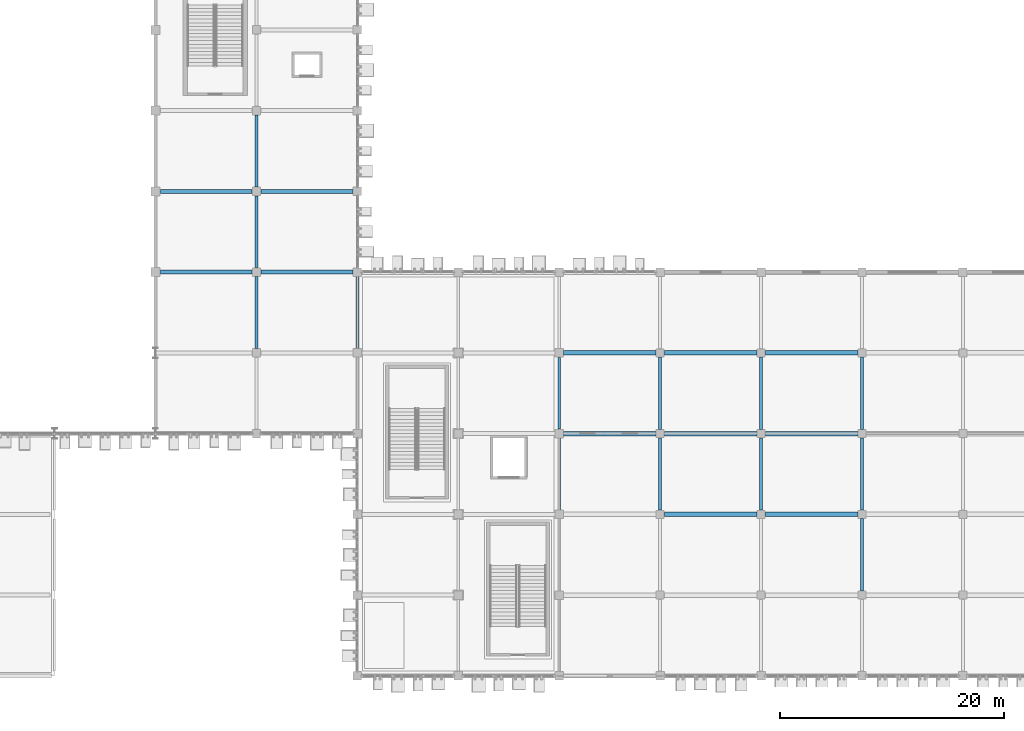
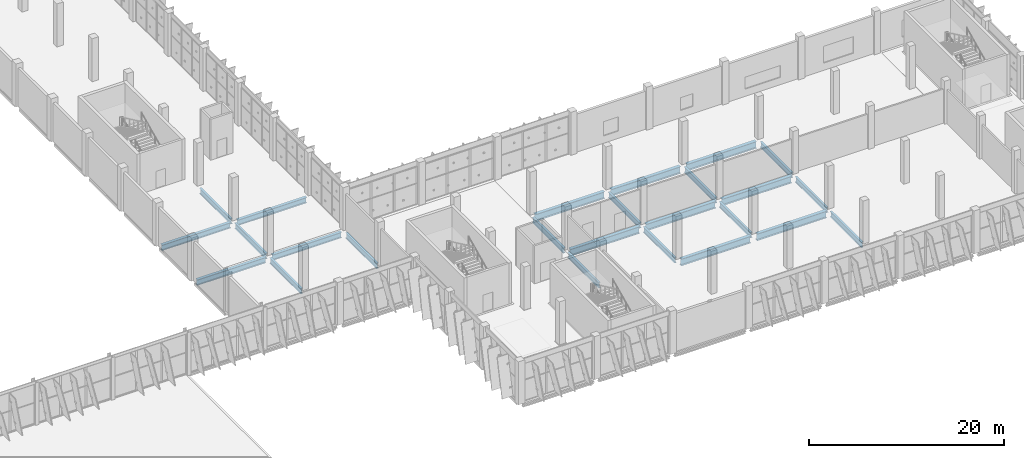
# One storey, part 52 of 189: 25 beams.
"""IFC4 building model written with IfcOpenShell, lengths in metres."""

from ifc_helpers import new_model, si_unit, direction, frame, origin, origin_2d, place, context, subcontext, project, spatial, i_section, extrude, material, material_profile, profile_set, type_object, element, save


model = new_model("IFC4")

# Units and contexts
model_context = context("Model", 3, precision=1e-05, world=origin(), true_north=direction((0.0, 1.0)))
body_context = subcontext(model_context, "Body", "Model", "MODEL_VIEW")
ifc_project = project(units=[si_unit("LENGTHUNIT", "METRE"), si_unit("AREAUNIT", "SQUARE_METRE"), si_unit("VOLUMEUNIT", "CUBIC_METRE"), si_unit("PLANEANGLEUNIT", "RADIAN"), si_unit("MASSUNIT", "GRAM", prefix="KILO")], contexts=[model_context])

# Site, building, storey
site_placement = place(None, origin())
site = spatial("IfcSite", under=ifc_project, at=site_placement, CompositionType="ELEMENT")
building_placement = place(site_placement, origin())
building = spatial("IfcBuilding", under=site, at=building_placement, Name="Celestram Park Convention Centre", CompositionType="ELEMENT")
storey_placement = place(building_placement, frame((0.0, 0.0, 5.39990234375)))
storey = spatial("IfcBuildingStorey", under=building, at=storey_placement, Name="L01", CompositionType="ELEMENT", Elevation=5.39990234375)

# Beams
ifc_material = material(Name="Steel ASTM A992 Grade 50", Category="steel")
ifc_material_profile_1 = material_profile(ifc_material, i_section(OverallWidth=0.35595703125, OverallDepth=0.696044921875, WebThickness=0.015380859375, FlangeThickness=0.02490234375, at=origin_2d()), Name="W27X146")
ifc_profile_set_1 = profile_set([ifc_material_profile_1], Name="Steel ASTM A992 Grade 50")
beam_type_1 = type_object("IfcBeamType", Name="STR-BM-W27X146", PredefinedType="BEAM", material=ifc_profile_set_1)
for number, where, z_axis, x_axis, name in (
    (1, (126.447998046875, 36.0, -0.6279296875), (1.0, 0.0, 0.0), (0.0, 1.0, 0.0), "Primary X-girder BG-L01-0252"),
    (2, (126.447998046875, 43.199951171875, -0.6279296875), (1.0, 0.0, 0.0), (0.0, 1.0, 0.0), "Primary X-girder BG-L01-0254"),
):
    element("IfcBeam", number, at=place(storey_placement, frame(where, z_axis=z_axis, x_axis=x_axis)), inside=storey, type_object=beam_type_1, Name=name, PredefinedType="BEAM", context=body_context, shape_type="SweptSolid", body=[
        extrude(i_section(OverallWidth=0.35595703125, OverallDepth=0.696044921875, WebThickness=0.015380859375, FlangeThickness=0.02490234375, at=origin_2d()), origin(), (0.0, 0.0, 1.0), 8.154052734375),
    ])
for number, where, z_axis, x_axis, name in (
    (3, (135.39794921875, 36.0, -0.6279296875), (1.0, 0.0, 0.0), (0.0, 1.0, 0.0), "Primary X-girder BG-L01-0290"),
    (4, (135.39794921875, 43.199951171875, -0.6279296875), (1.0, 0.0, 0.0), (0.0, 1.0, 0.0), "Primary X-girder BG-L01-0292"),
):
    element("IfcBeam", number, at=place(storey_placement, frame(where, z_axis=z_axis, x_axis=x_axis)), inside=storey, type_object=beam_type_1, Name=name, PredefinedType="BEAM", context=body_context, shape_type="SweptSolid", body=[
        extrude(i_section(OverallWidth=0.35595703125, OverallDepth=0.696044921875, WebThickness=0.015380859375, FlangeThickness=0.02490234375, at=origin_2d()), origin(), (0.0, 0.0, 1.0), 8.2041015625),
    ])
ifc_material_profile_2 = material_profile(ifc_material, i_section(OverallWidth=0.25390625, OverallDepth=0.68310546875, WebThickness=0.012451171875, FlangeThickness=0.01904296875, at=origin_2d()), Name="W27X94")
ifc_profile_set_2 = profile_set([ifc_material_profile_2], Name="Steel ASTM A992 Grade 50")
beam_type_2 = type_object("IfcBeamType", Name="STR-BM-W27X94", PredefinedType="BEAM", material=ifc_profile_set_2)
for number, where, z_axis, x_axis, name in (
    (5, (135.0, 29.197998046875, -0.621337890625), (0.0, 1.0, 0.0), (-1.0, 0.0, 0.0), "Primary Y-girder BG-L01-0289"),
    (6, (135.0, 36.39794921875, -0.621337890625), (0.0, 1.0, 0.0), (-1.0, 0.0, 0.0), "Primary Y-girder BG-L01-0291"),
    (7, (135.0, 43.597900390625, -0.621337890625), (0.0, 1.0, 0.0), (-1.0, 0.0, 0.0), "Primary Y-girder BG-L01-0293"),
    (8, (144.0, 29.197998046875, -0.621337890625), (0.0, 1.0, 0.0), (-1.0, 0.0, 0.0), "Primary Y-girder BG-L01-0333"),
):
    element("IfcBeam", number, at=place(storey_placement, frame(where, z_axis=z_axis, x_axis=x_axis)), inside=storey, type_object=beam_type_2, Name=name, PredefinedType="BEAM", context=body_context, shape_type="SweptSolid", body=[
        extrude(i_section(OverallWidth=0.25390625, OverallDepth=0.68310546875, WebThickness=0.012451171875, FlangeThickness=0.01904296875, at=origin_2d()), origin(), (0.0, 0.0, 1.0), 6.404052734375),
    ])
beam_1_placement = place(storey_placement, frame((162.0, 14.798095703125, -0.621337890625), z_axis=(0.0, 1.0, 0.0), x_axis=(-1.0, 0.0, 0.0)))
element("IfcBeam", 9, at=beam_1_placement, inside=storey, type_object=beam_type_2, Name="Primary Y-girder BG-L01-0387", PredefinedType="BEAM", context=body_context, shape_type="SweptSolid", body=[
    extrude(i_section(OverallWidth=0.25390625, OverallDepth=0.68310546875, WebThickness=0.012451171875, FlangeThickness=0.01904296875, at=origin_2d()), origin(), (0.0, 0.0, 1.0), 6.40380859375),
])
beam_2_placement = place(storey_placement, frame((162.0, 21.998046875, -0.621337890625), z_axis=(0.0, 1.0, 0.0), x_axis=(-1.0, 0.0, 0.0)))
element("IfcBeam", 10, at=beam_2_placement, inside=storey, type_object=beam_type_2, Name="Primary Y-girder BG-L01-0389", PredefinedType="BEAM", context=body_context, shape_type="SweptSolid", body=[
    extrude(i_section(OverallWidth=0.25390625, OverallDepth=0.68310546875, WebThickness=0.012451171875, FlangeThickness=0.01904296875, at=origin_2d()), origin(), (0.0, 0.0, 1.0), 6.404052734375),
])
for number, where, z_axis, x_axis, name in (
    (11, (171.0, 14.77294921875, -0.621337890625), (0.0, 1.0, 0.0), (-1.0, 0.0, 0.0), "Primary Y-girder BG-L01-0413"),
    (12, (171.0, 21.972900390625, -0.621337890625), (0.0, 1.0, 0.0), (-1.0, 0.0, 0.0), "Primary Y-girder BG-L01-0415"),
    (13, (180.0, 14.77294921875, -0.621337890625), (0.0, 1.0, 0.0), (-1.0, 0.0, 0.0), "Primary Y-girder BG-L01-0439"),
    (14, (180.0, 21.972900390625, -0.621337890625), (0.0, 1.0, 0.0), (-1.0, 0.0, 0.0), "Primary Y-girder BG-L01-0441"),
    (15, (189.0, 7.572998046875, -0.621337890625), (0.0, 1.0, 0.0), (-1.0, 0.0, 0.0), "Primary Y-girder BG-L01-0463"),
    (16, (189.0, 14.77294921875, -0.621337890625), (0.0, 1.0, 0.0), (-1.0, 0.0, 0.0), "Primary Y-girder BG-L01-0465"),
    (17, (189.0, 21.972900390625, -0.621337890625), (0.0, 1.0, 0.0), (-1.0, 0.0, 0.0), "Primary Y-girder BG-L01-0467"),
):
    element("IfcBeam", number, at=place(storey_placement, frame(where, z_axis=z_axis, x_axis=x_axis)), inside=storey, type_object=beam_type_2, Name=name, PredefinedType="BEAM", context=body_context, shape_type="SweptSolid", body=[
        extrude(i_section(OverallWidth=0.25390625, OverallDepth=0.68310546875, WebThickness=0.012451171875, FlangeThickness=0.01904296875, at=origin_2d()), origin(), (0.0, 0.0, 1.0), 6.4541015625),
    ])
ifc_material_profile_3 = material_profile(ifc_material, i_section(OverallWidth=0.40087890625, OverallDepth=0.85595703125, WebThickness=0.018310546875, FlangeThickness=0.029296875, at=origin_2d()), Name="W33X201")
ifc_profile_set_3 = profile_set([ifc_material_profile_3], Name="Steel ASTM A992 Grade 50")
beam_type_3 = type_object("IfcBeamType", Name="STR-BM-W33X201", PredefinedType="BEAM", material=ifc_profile_set_3)
for number, where, z_axis, x_axis, name in (
    (18, (162.39794921875, 21.60009765625, -0.7080078125), (1.0, 0.0, 0.0), (0.0, 1.0, 0.0), "Primary X-girder BG-L01-0388"),
    (19, (162.39794921875, 28.800048828125, -0.7080078125), (1.0, 0.0, 0.0), (0.0, 1.0, 0.0), "Primary X-girder BG-L01-0390"),
):
    element("IfcBeam", number, at=place(storey_placement, frame(where, z_axis=z_axis, x_axis=x_axis)), inside=storey, type_object=beam_type_3, Name=name, PredefinedType="BEAM", context=body_context, shape_type="SweptSolid", body=[
        extrude(i_section(OverallWidth=0.40087890625, OverallDepth=0.85595703125, WebThickness=0.018310546875, FlangeThickness=0.029296875, at=origin_2d()), origin(), (0.0, 0.0, 1.0), 8.22900390625),
    ])
for number, where, z_axis, x_axis, name in (
    (20, (171.373046875, 14.39990234375, -0.7080078125), (1.0, 0.0, 0.0), (0.0, 1.0, 0.0), "Primary X-girder BG-L01-0412"),
    (21, (171.373046875, 21.60009765625, -0.7080078125), (1.0, 0.0, 0.0), (0.0, 1.0, 0.0), "Primary X-girder BG-L01-0414"),
    (22, (171.373046875, 28.800048828125, -0.7080078125), (1.0, 0.0, 0.0), (0.0, 1.0, 0.0), "Primary X-girder BG-L01-0416"),
    (23, (180.373046875, 14.39990234375, -0.7080078125), (1.0, 0.0, 0.0), (0.0, 1.0, 0.0), "Primary X-girder BG-L01-0438"),
    (24, (180.373046875, 21.60009765625, -0.7080078125), (1.0, 0.0, 0.0), (0.0, 1.0, 0.0), "Primary X-girder BG-L01-0440"),
    (25, (180.373046875, 28.800048828125, -0.7080078125), (1.0, 0.0, 0.0), (0.0, 1.0, 0.0), "Primary X-girder BG-L01-0442"),
):
    element("IfcBeam", number, at=place(storey_placement, frame(where, z_axis=z_axis, x_axis=x_axis)), inside=storey, type_object=beam_type_3, Name=name, PredefinedType="BEAM", context=body_context, shape_type="SweptSolid", body=[
        extrude(i_section(OverallWidth=0.40087890625, OverallDepth=0.85595703125, WebThickness=0.018310546875, FlangeThickness=0.029296875, at=origin_2d()), origin(), (0.0, 0.0, 1.0), 8.25390625),
    ])

save(model, "model.ifc")
